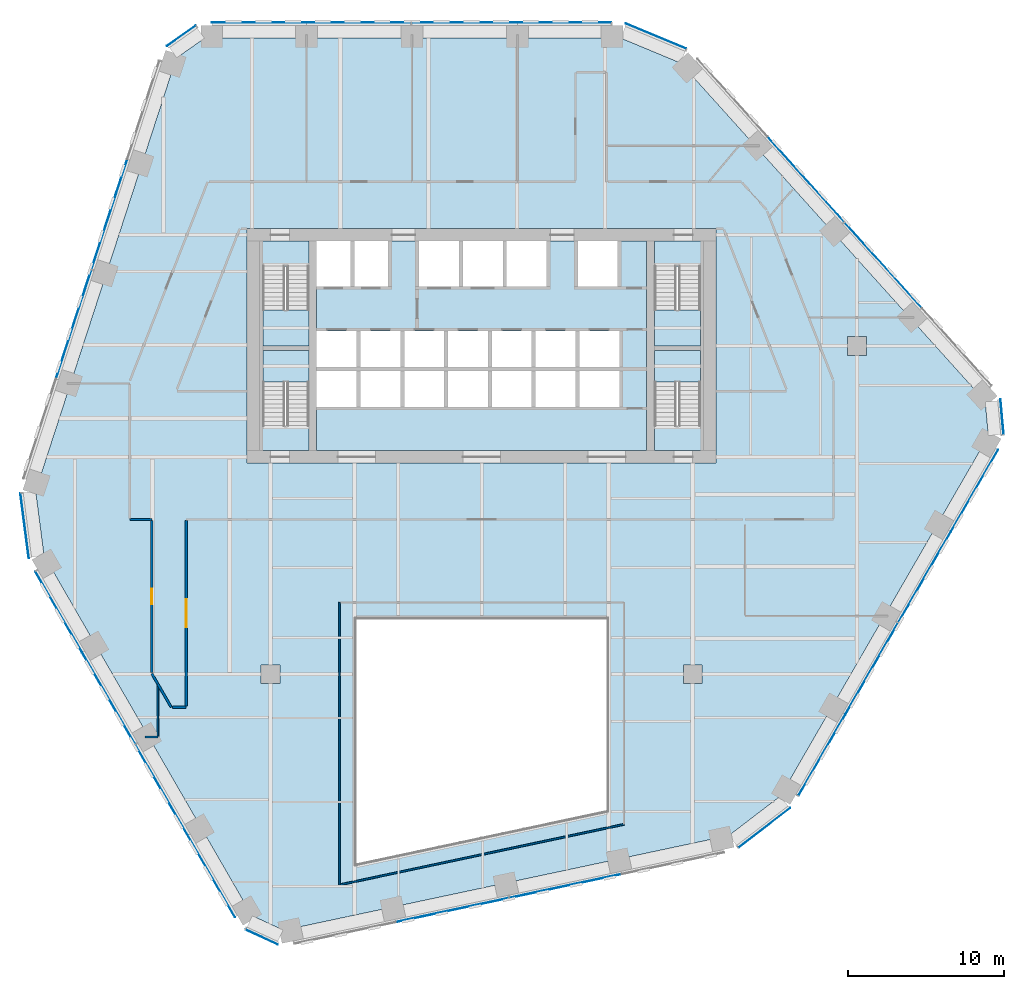
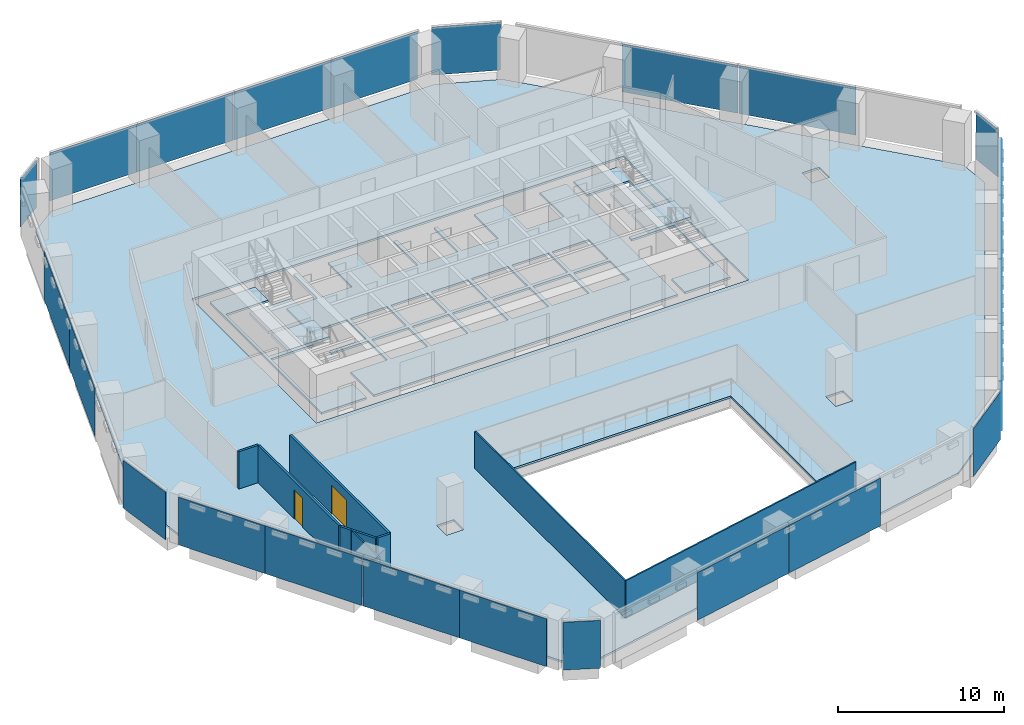
# One storey, part 10 of 17: 24 plates, 10 walls, 8 slabs, 2 doors, 2 openings, 16 elements without a shape of their own.
"""IFC4 building model written with IfcOpenShell, lengths in metres."""

import ifcopenshell
import ifcopenshell.guid

model = None  # the IFC model being written
_history = None  # IfcOwnerHistory: only IFC2X3 demands one
_inside = {}  # id of a spatial element -> (the spatial element, [elements in it])
_under = {}  # id of a project, library or spatial element -> (it, [spatial elements below it])
_declared = {}  # id of a project -> (the project, [libraries it declares])
_typed = {}  # id of a type object -> (the type object, [elements of that type])
_made_of = {}  # id of a material, layer set ... -> (it, [elements and type objects made of it])


def new_model(schema):
    """Start an empty IFC model of exactly this schema.

    Asked for "IFC4X3", IfcOpenShell would pick the latest addendum, in which some entities
    have other attributes; the version numbers below select the first issue.
    IFC2X3 requires an IfcOwnerHistory on every rooted entity: one is made here for all.
    """
    global model, _history
    if schema == "IFC4X3":
        model = ifcopenshell.file(schema_version=(4, 3, 0, 0))
    else:
        model = ifcopenshell.file(schema=schema)
    _inside.clear()
    _under.clear()
    _declared.clear()
    _typed.clear()
    _made_of.clear()
    _history = None
    if model.schema == "IFC2X3":
        org = make("IfcOrganization", Name="unknown")
        user = make(
            "IfcPersonAndOrganization",
            ThePerson=make("IfcPerson", FamilyName="unknown"),
            TheOrganization=org,
        )
        app = make(
            "IfcApplication",
            ApplicationDeveloper=org,
            Version="unknown",
            ApplicationFullName="unknown",
            ApplicationIdentifier="unknown",
        )
        _history = make(
            "IfcOwnerHistory",
            OwningUser=user,
            OwningApplication=app,
            ChangeAction="ADDED",
            CreationDate=0,
        )
    return model


def make(cls, **values):
    """One entity of the class cls with the attributes given. An attribute that is None is left unset."""
    return model.create_entity(
        cls, **{name: value for name, value in values.items() if value is not None}
    )


def rooted(cls, **values):
    """An entity with a GlobalId (a new one), such as an element, a storey or a relation."""
    return make(cls, GlobalId=ifcopenshell.guid.new(), OwnerHistory=_history, **values)


def si_unit(unit_type, name, prefix=None):
    """IfcSIUnit, for example si_unit("LENGTHUNIT", "METRE", prefix="MILLI")."""
    return make("IfcSIUnit", UnitType=unit_type, Prefix=prefix, Name=name)


def assignment(units):
    """IfcUnitAssignment: the units of a project."""
    return None if units is None else make("IfcUnitAssignment", Units=units)


def point(xyz):
    """IfcCartesianPoint."""
    return None if xyz is None else make("IfcCartesianPoint", Coordinates=xyz)


def direction(xyz):
    """IfcDirection."""
    return None if xyz is None else make("IfcDirection", DirectionRatios=xyz)


def frame(location, z_axis=None, x_axis=None):
    """IfcAxis2Placement3D, a coordinate frame: its origin and axes. An axis left out is left unset."""
    return make(
        "IfcAxis2Placement3D",
        Location=point(location),
        Axis=direction(z_axis),
        RefDirection=direction(x_axis),
    )


def frame_2d(location, x_axis=None):
    """IfcAxis2Placement2D, a coordinate frame in the plane: its origin and x axis."""
    return make(
        "IfcAxis2Placement2D", Location=point(location), RefDirection=direction(x_axis)
    )


def origin():
    """The frame at (0, 0, 0) with its axes left unset."""
    return frame((0.0, 0.0, 0.0))


def origin_2d():
    """The frame at (0, 0) in the plane with its x axis left unset."""
    return frame_2d((0.0, 0.0))


def place(relative_to, where):
    """IfcLocalPlacement: puts the frame where relative to a parent placement (None: the world)."""
    return make(
        "IfcLocalPlacement", PlacementRelTo=relative_to, RelativePlacement=where
    )


def context(
    kind, dimensions, precision=None, world=None, true_north=None, identifier=None
):
    """IfcGeometricRepresentationContext, for example the 3D "Model" context."""
    return make(
        "IfcGeometricRepresentationContext",
        ContextIdentifier=identifier,
        ContextType=kind,
        CoordinateSpaceDimension=dimensions,
        Precision=precision,
        WorldCoordinateSystem=world,
        TrueNorth=true_north,
    )


def subcontext(parent, identifier, kind, view, scale=None):
    """IfcGeometricRepresentationSubContext, for example "Body" below "Model"."""
    return make(
        "IfcGeometricRepresentationSubContext",
        ContextIdentifier=identifier,
        ContextType=kind,
        ParentContext=parent,
        TargetScale=scale,
        TargetView=view,
    )


def project(units=None, contexts=None):
    """IfcProject with its units and contexts."""
    return rooted(
        "IfcProject",
        Name="project",
        RepresentationContexts=contexts,
        UnitsInContext=assignment(units),
    )


def spatial(cls, under=None, at=None, **own):
    """A site, building, storey or space (cls), placed at a placement, below another one or the project."""
    s = rooted(cls, ObjectPlacement=at, **own)
    if under is not None:
        _under.setdefault(under.id(), (under, []))[1].append(s)
    return s


def polyline(points):
    """IfcPolyline through the points."""
    return make("IfcPolyline", Points=[point(p) for p in points])


def profile(cls, at=None, kind="AREA", **sizes):
    """A parametric profile (cls). Its sizes go by their IFC names, for example OverallWidth=200.0."""
    return make(cls, ProfileType=kind, Position=at, **sizes)


def rectangle(**sizes):
    """IfcRectangleProfileDef."""
    return profile("IfcRectangleProfileDef", **sizes)


def outline(outer, holes=None, kind="AREA"):
    """IfcArbitraryClosedProfileDef: a profile drawn as a closed curve; with holes, ...WithVoids."""
    if holes is None:
        return make("IfcArbitraryClosedProfileDef", ProfileType=kind, OuterCurve=outer)
    return make(
        "IfcArbitraryProfileDefWithVoids",
        ProfileType=kind,
        OuterCurve=outer,
        InnerCurves=holes,
    )


def extrude(swept, where, along, depth):
    """IfcExtrudedAreaSolid: the profile swept, set in the frame where, extruded along a direction by depth."""
    return make(
        "IfcExtrudedAreaSolid",
        SweptArea=swept,
        Position=where,
        ExtrudedDirection=direction(along),
        Depth=depth,
    )


def shape(context_of_items, identifier, shape_type, items):
    """IfcShapeRepresentation: the items that make up one representation, for example the "Body"."""
    return make(
        "IfcShapeRepresentation",
        ContextOfItems=context_of_items,
        RepresentationIdentifier=identifier,
        RepresentationType=shape_type,
        Items=items,
    )


def material(Name=None, Category=None):
    """IfcMaterial."""
    return make("IfcMaterial", Name=Name, Category=Category)


def layer(
    of_material, thickness, ventilated=None, Name=None, Category=None, Priority=None
):
    """IfcMaterialLayer: one layer of a wall or slab, of a material (None: an air gap)."""
    return make(
        "IfcMaterialLayer",
        Material=of_material,
        LayerThickness=thickness,
        IsVentilated=ventilated,
        Name=Name,
        Category=Category,
        Priority=Priority,
    )


def layer_set(layers, Name=None):
    """IfcMaterialLayerSet."""
    return make("IfcMaterialLayerSet", MaterialLayers=layers, LayerSetName=Name)


def made_of(thing, what):
    """Note that an element or type object is made of a material, layer set ...; save() writes the relation."""
    if what is not None:
        _made_of.setdefault(what.id(), (what, []))[1].append(thing)
    return thing


def type_object(cls, material=None, **own):
    """A type object (cls), such as IfcWallType, which elements share."""
    return made_of(rooted(cls, **own), material)


def element(
    cls,
    number,
    at=None,
    inside=None,
    cuts=None,
    type_object=None,
    material=None,
    context=None,
    identifier="Body",
    shape_type=None,
    held_by="IfcProductDefinitionShape",
    body=None,
    shapes=None,
    **own,
):
    """One element of the class cls, such as IfcWall. Its Tag is "e" and its number.

    at: its placement. inside: the storey or other place that contains it. cuts: it is an
    opening in that element (IfcRelVoidsElement). A single representation is given by context,
    identifier, shape_type and body (its items); several are given by shapes. held_by: the class
    of the entity that holds the representations. save() writes the other relations.
    """
    e = rooted(cls, Tag="e%d" % number, ObjectPlacement=at, **own)
    if body is not None:
        shapes = [shape(context, identifier, shape_type, body)]
    if shapes is not None:
        e.Representation = make(held_by, Representations=shapes)
    if inside is not None:
        _inside.setdefault(inside.id(), (inside, []))[1].append(e)
    if cuts is not None:
        rooted(
            "IfcRelVoidsElement", RelatingBuildingElement=cuts, RelatedOpeningElement=e
        )
    if type_object is not None:
        _typed.setdefault(type_object.id(), (type_object, []))[1].append(e)
    return made_of(e, material)


def fill(opening, filler):
    """IfcRelFillsElement: the door or window that sits in an opening."""
    return rooted(
        "IfcRelFillsElement",
        RelatingOpeningElement=opening,
        RelatedBuildingElement=filler,
    )


def aggregate(whole, parts):
    """IfcRelAggregates: a whole, such as a stair, and the parts it consists of."""
    return rooted("IfcRelAggregates", RelatingObject=whole, RelatedObjects=parts)


def save(model, path):
    """Write the relations noted so far, then the file.

    IfcRelAggregates (storeys below a building ...), IfcRelContainedInSpatialStructure (elements
    in a storey), IfcRelDefinesByType, IfcRelAssociatesMaterial and IfcRelDeclares: one each for
    every whole, place, type object, material and project.
    """
    for whole, parts in _under.values():
        aggregate(whole, parts)
    for where, things in _inside.values():
        rooted(
            "IfcRelContainedInSpatialStructure",
            RelatedElements=things,
            RelatingStructure=where,
        )
    for kind, things in _typed.values():
        rooted("IfcRelDefinesByType", RelatedObjects=things, RelatingType=kind)
    for what, things in _made_of.values():
        rooted("IfcRelAssociatesMaterial", RelatedObjects=things, RelatingMaterial=what)
    for by, libraries in _declared.values():
        rooted("IfcRelDeclares", RelatingContext=by, RelatedDefinitions=libraries)
    model.write(path)


model = new_model("IFC4")

# Units and contexts
model_context = context("Model", 3, precision=1e-05, world=origin(), true_north=direction((0.0, 1.0)))
body_context = subcontext(model_context, "Body", "Model", "MODEL_VIEW")
ifc_project = project(units=[si_unit("LENGTHUNIT", "METRE"), si_unit("AREAUNIT", "SQUARE_METRE"), si_unit("VOLUMEUNIT", "CUBIC_METRE"), si_unit("PLANEANGLEUNIT", "RADIAN"), si_unit("MASSUNIT", "GRAM", prefix="KILO")], contexts=[model_context])

# Site, building, storey
site_placement = place(None, origin())
site = spatial("IfcSite", under=ifc_project, at=site_placement, CompositionType="ELEMENT")
building_placement = place(site_placement, origin())
building = spatial("IfcBuilding", under=site, at=building_placement, Name="Isthmus Gate Tower", CompositionType="ELEMENT")
storey_placement = place(building_placement, frame((0.0, 0.0, 126.14990234375)))
storey = spatial("IfcBuildingStorey", under=building, at=storey_placement, Name="L30", CompositionType="ELEMENT", Elevation=126.14990234375)

# Slabs
ifc_material_1 = material(Name="Concrete f'c 40 MPa", Category="concrete")
ifc_layer_1 = layer(ifc_material_1, 0.14990234375)
ifc_layer_set_1 = layer_set([ifc_layer_1], Name="COMPOSITE FLOOR SLAB 150")
slab_type_1 = type_object("IfcSlabType", Name="COMPOSITE FLOOR SLAB 150", PredefinedType="FLOOR", material=ifc_layer_set_1)
slab_1_placement = place(storey_placement, frame((0.0, 0.0, -0.14990234375)))
element("IfcSlab", 1, at=slab_1_placement, inside=storey, type_object=slab_type_1, Name="str-slab-L30-1", PredefinedType="FLOOR", context=body_context, shape_type="SweptSolid", body=[
    extrude(outline(polyline([(12.72802734375, 25.599365234375), (32.21044921875, 3.9619140625), (32.410400390625, 1.736083984375), (19.116455078125, -21.289306640625), (15.8056640625, -23.822509765625), (-12.674072265625, -29.876220703125), (-14.701416015625, -28.936279296875), (-27.995361328125, -5.91064453125), (-28.53369140625, -1.77685546875), (-19.536376953125, 25.9140625), (-17.708740234375, 27.199951171875), (8.87890625, 27.199951171875), (12.72802734375, 25.599365234375)]), holes=[polyline([(-8.0, -10.0), (-8.0, -25.611083984375), (8.0, -22.210205078125), (8.0, -10.0), (-8.0, -10.0)]), polyline([(-14.10009765625, -12.89990234375), (-14.10009765625, -14.10009765625), (-12.89990234375, -14.10009765625), (-12.89990234375, -12.89990234375), (-14.10009765625, -12.89990234375)]), polyline([(14.10009765625, -12.89990234375), (12.89990234375, -12.89990234375), (12.89990234375, -14.10009765625), (14.10009765625, -14.10009765625), (14.10009765625, -12.89990234375)]), polyline([(-15.0, 15.0), (-15.0, 0.0), (15.0, 0.0), (15.0, 15.0), (-15.0, 15.0)]), polyline([(24.60009765625, 6.89990234375), (24.60009765625, 8.10009765625), (23.39990234375, 8.10009765625), (23.39990234375, 6.89990234375), (24.60009765625, 6.89990234375)])]), origin(), (0.0, 0.0, 1.0), 0.14990234375),
])
ifc_material_2 = material(Name="Concrete f'c 40 MPa", Category="concrete")
ifc_layer_2 = layer(ifc_material_2, 0.14990234375)
ifc_layer_set_2 = layer_set([ifc_layer_2], Name="CORE FLOOR SLAB 150")
slab_type_2 = type_object("IfcSlabType", Name="CORE FLOOR SLAB 150", PredefinedType="FLOOR", material=ifc_layer_set_2)
slab_2_placement = place(storey_placement, frame((0.0, 0.0, -0.14990234375)))
element("IfcSlab", 2, at=slab_2_placement, inside=storey, type_object=slab_type_2, Name="L30 core floor", PredefinedType="FLOOR", context=body_context, shape_type="SweptSolid", body=[
    extrude(outline(polyline([(-11.050048828125, 0.800048828125), (-11.050048828125, 2.402099609375), (-14.0, 2.402099609375), (-14.0, 7.199951171875), (-11.050048828125, 7.199951171875), (-11.050048828125, 7.5), (-14.0, 7.5), (-14.0, 12.597900390625), (-11.050048828125, 12.597900390625), (-11.050048828125, 14.199951171875), (-14.199951171875, 14.199951171875), (-14.199951171875, 0.800048828125), (-11.050048828125, 0.800048828125)])), origin(), (0.0, 0.0, 1.0), 0.14990234375),
])
slab_3_placement = place(storey_placement, frame((0.0, 0.0, -0.14990234375)))
element("IfcSlab", 3, at=slab_3_placement, inside=storey, type_object=slab_type_2, Name="L30 core floor", PredefinedType="FLOOR", context=body_context, shape_type="SweptSolid", body=[
    extrude(outline(polyline([(10.550048828125, 14.199951171875), (8.699951171875, 14.199951171875), (8.699951171875, 11.300048828125), (6.14990234375, 11.300048828125), (6.14990234375, 14.199951171875), (4.14990234375, 14.199951171875), (4.14990234375, 11.300048828125), (1.60009765625, 11.300048828125), (1.60009765625, 14.199951171875), (1.35009765625, 14.199951171875), (1.35009765625, 11.300048828125), (-1.199951171875, 11.300048828125), (-1.199951171875, 14.199951171875), (-1.449951171875, 14.199951171875), (-1.449951171875, 11.300048828125), (-4.0, 11.300048828125), (-4.0, 14.199951171875), (-6.0, 14.199951171875), (-6.0, 11.300048828125), (-8.14990234375, 11.300048828125), (-8.14990234375, 14.199951171875), (-8.39990234375, 14.199951171875), (-8.39990234375, 11.300048828125), (-10.550048828125, 11.300048828125), (-10.550048828125, 8.449951171875), (-8.0, 8.449951171875), (-8.0, 6.14990234375), (-10.550048828125, 6.14990234375), (-10.550048828125, 5.89990234375), (-8.0, 5.89990234375), (-8.0, 3.60009765625), (-10.550048828125, 3.60009765625), (-10.550048828125, 0.800048828125), (10.550048828125, 0.800048828125), (10.550048828125, 14.199951171875)]), holes=[polyline([(-5.199951171875, 3.60009765625), (-7.75, 3.60009765625), (-7.75, 5.89990234375), (-5.199951171875, 5.89990234375), (-5.199951171875, 3.60009765625)]), polyline([(-2.39990234375, 3.60009765625), (-4.949951171875, 3.60009765625), (-4.949951171875, 5.89990234375), (-2.39990234375, 5.89990234375), (-2.39990234375, 3.60009765625)]), polyline([(-5.199951171875, 6.14990234375), (-7.75, 6.14990234375), (-7.75, 8.449951171875), (-5.199951171875, 8.449951171875), (-5.199951171875, 6.14990234375)]), polyline([(-2.39990234375, 8.449951171875), (-2.39990234375, 6.14990234375), (-4.949951171875, 6.14990234375), (-4.949951171875, 8.449951171875), (-2.39990234375, 8.449951171875)]), polyline([(0.39990234375, 6.14990234375), (-2.14990234375, 6.14990234375), (-2.14990234375, 8.449951171875), (0.39990234375, 8.449951171875), (0.39990234375, 6.14990234375)]), polyline([(0.39990234375, 5.89990234375), (0.39990234375, 3.60009765625), (-2.14990234375, 3.60009765625), (-2.14990234375, 5.89990234375), (0.39990234375, 5.89990234375)]), polyline([(3.199951171875, 3.60009765625), (0.64990234375, 3.60009765625), (0.64990234375, 5.89990234375), (3.199951171875, 5.89990234375), (3.199951171875, 3.60009765625)]), polyline([(6.0, 3.60009765625), (3.449951171875, 3.60009765625), (3.449951171875, 5.89990234375), (6.0, 5.89990234375), (6.0, 3.60009765625)]), polyline([(8.800048828125, 5.89990234375), (8.800048828125, 3.60009765625), (6.25, 3.60009765625), (6.25, 5.89990234375), (8.800048828125, 5.89990234375)]), polyline([(3.199951171875, 6.14990234375), (0.64990234375, 6.14990234375), (0.64990234375, 8.449951171875), (3.199951171875, 8.449951171875), (3.199951171875, 6.14990234375)]), polyline([(6.0, 8.449951171875), (6.0, 6.14990234375), (3.449951171875, 6.14990234375), (3.449951171875, 8.449951171875), (6.0, 8.449951171875)]), polyline([(8.800048828125, 6.14990234375), (6.25, 6.14990234375), (6.25, 8.449951171875), (8.800048828125, 8.449951171875), (8.800048828125, 6.14990234375)])]), origin(), (0.0, 0.0, 1.0), 0.14990234375),
])
slab_4_placement = place(storey_placement, frame((0.0, 0.0, -0.14990234375)))
element("IfcSlab", 4, at=slab_4_placement, inside=storey, type_object=slab_type_2, Name="L30 core floor", PredefinedType="FLOOR", context=body_context, shape_type="SweptSolid", body=[
    extrude(outline(polyline([(11.050048828125, 14.199951171875), (11.050048828125, 12.597900390625), (14.0, 12.597900390625), (14.0, 7.5), (11.050048828125, 7.5), (11.050048828125, 7.199951171875), (14.0, 7.199951171875), (14.0, 2.402099609375), (11.050048828125, 2.402099609375), (11.050048828125, 0.800048828125), (14.199951171875, 0.800048828125), (14.199951171875, 14.199951171875), (11.050048828125, 14.199951171875)])), origin(), (0.0, 0.0, 1.0), 0.14990234375),
])

# Curtain wall, plates
ifc_material_3 = material(Name="Aluminium, pale champagne anodised", Category="aluminium")
ifc_layer_3 = layer(ifc_material_3, 0.199951171875)
ifc_layer_set_3 = layer_set([ifc_layer_3], Name="CW-1 UNITISED CURTAIN WALL 200 DEEP")
curtain_wall_type = type_object("IfcCurtainWallType", Name="CW-1 UNITISED CURTAIN WALL 200 DEEP", PredefinedType="NOTDEFINED", material=ifc_layer_set_3)
curtain_wall_1_placement = place(storey_placement, origin())
curtain_wall_1 = element("IfcCurtainWall", 5, at=curtain_wall_1_placement, inside=storey, type_object=curtain_wall_type, Name="CW-1 N L30", PredefinedType="NOTDEFINED")
ifc_material_4 = material(Name="Laminated low-iron glass, pale blue tint", Category="glass")
ifc_layer_4 = layer(ifc_material_4, 0.035888671875)
ifc_layer_set_4 = layer_set([ifc_layer_4], Name="CW-1 CLEAR GLASS LITE 36")
plate_type = type_object("IfcPlateType", Name="CW-1 CLEAR GLASS LITE 36", PredefinedType="CURTAIN_PANEL", material=ifc_layer_set_4)
plate_1_placement = place(storey_placement, frame((5.283447265625, 28.181884765625, 0.0), z_axis=(0.0, 0.0, 1.0), x_axis=(-1.0, 0.0, 0.0)))
plate_1 = element("IfcPlate", 6, at=plate_1_placement, type_object=plate_type, Name="CW-1 glass lite", PredefinedType="CURTAIN_PANEL", context=body_context, shape_type="SweptSolid", body=[
    extrude(rectangle(XDim=5.990234375, YDim=0.035888671875, at=origin_2d()), origin(), (0.0, 0.0, 1.0), 3.510009765625),
])
plate_2_placement = place(storey_placement, frame((-1.086669921875, 28.181884765625, 0.0), z_axis=(0.0, 0.0, 1.0), x_axis=(-1.0, 0.0, 0.0)))
plate_2 = element("IfcPlate", 7, at=plate_2_placement, type_object=plate_type, Name="CW-1 glass lite", PredefinedType="CURTAIN_PANEL", context=body_context, shape_type="SweptSolid", body=[
    extrude(rectangle(XDim=6.750244140625, YDim=0.035888671875, at=origin_2d()), origin(), (0.0, 0.0, 1.0), 3.510009765625),
])
plate_3_placement = place(storey_placement, frame((-7.86669921875, 28.181884765625, 0.0), z_axis=(0.0, 0.0, 1.0), x_axis=(-1.0, 0.0, 0.0)))
plate_3 = element("IfcPlate", 8, at=plate_3_placement, type_object=plate_type, Name="CW-1 glass lite", PredefinedType="CURTAIN_PANEL", context=body_context, shape_type="SweptSolid", body=[
    extrude(rectangle(XDim=6.690185546875, YDim=0.035888671875, at=origin_2d()), origin(), (0.0, 0.0, 1.0), 3.510009765625),
])
plate_4_placement = place(storey_placement, frame((-14.23681640625, 28.181884765625, 0.0), z_axis=(0.0, 0.0, 1.0), x_axis=(-1.0, 0.0, 0.0)))
plate_4 = element("IfcPlate", 9, at=plate_4_placement, type_object=plate_type, Name="CW-1 glass lite", PredefinedType="CURTAIN_PANEL", context=body_context, shape_type="SweptSolid", body=[
    extrude(rectangle(XDim=6.050048828125, YDim=0.035888671875, at=origin_2d()), origin(), (0.0, 0.0, 1.0), 3.510009765625),
])
aggregate(curtain_wall_1, [plate_1, plate_2, plate_3, plate_4])

# Curtain wall, plate
curtain_wall_2_placement = place(storey_placement, origin())
curtain_wall_2 = element("IfcCurtainWall", 10, at=curtain_wall_2_placement, inside=storey, type_object=curtain_wall_type, Name="CW-1 N-NW L30", PredefinedType="NOTDEFINED")
plate_5_placement = place(storey_placement, frame((-19.2119140625, 27.343017578125, 0.0), z_axis=(0.0, 0.0, 1.0), x_axis=(-0.81785959165, -0.57541783805, 0.0)))
plate_5 = element("IfcPlate", 11, at=plate_5_placement, type_object=plate_type, Name="CW-1 glass lite", PredefinedType="CURTAIN_PANEL", context=body_context, shape_type="SweptSolid", body=[
    extrude(rectangle(XDim=2.258544921875, YDim=0.035888671875, at=origin_2d()), origin(), (0.0, 0.0, 1.0), 3.510009765625),
])
aggregate(curtain_wall_2, [plate_5])

# Curtain wall, plates
curtain_wall_3_placement = place(storey_placement, origin())
curtain_wall_3 = element("IfcCurtainWall", 12, at=curtain_wall_3_placement, inside=storey, type_object=curtain_wall_type, Name="CW-1 NW L30", PredefinedType="NOTDEFINED")
plate_6_placement = place(storey_placement, frame((-23.813720703125, 15.927490234375, 0.0), z_axis=(0.0, 0.0, 1.0), x_axis=(-0.309016994375, -0.951056516295, 0.0)))
plate_6 = element("IfcPlate", 13, at=plate_6_placement, type_object=plate_type, Name="CW-1 glass lite", PredefinedType="CURTAIN_PANEL", context=body_context, shape_type="SweptSolid", body=[
    extrude(rectangle(XDim=7.390869140625, YDim=0.035888671875, at=origin_2d()), origin(), (0.0, 0.0, 1.0), 3.510009765625),
])
plate_7_placement = place(storey_placement, frame((-26.10693359375, 8.8701171875, 0.0), z_axis=(0.0, 0.0, 1.0), x_axis=(-0.309016994375, -0.951056516295, 0.0)))
plate_7 = element("IfcPlate", 14, at=plate_7_placement, type_object=plate_type, Name="CW-1 glass lite", PredefinedType="CURTAIN_PANEL", context=body_context, shape_type="SweptSolid", body=[
    extrude(rectangle(XDim=7.330810546875, YDim=0.035888671875, at=origin_2d()), origin(), (0.0, 0.0, 1.0), 3.510009765625),
])
aggregate(curtain_wall_3, [plate_6, plate_7])

# Curtain wall, plate
curtain_wall_4_placement = place(storey_placement, origin())
curtain_wall_4 = element("IfcCurtainWall", 15, at=curtain_wall_4_placement, inside=storey, type_object=curtain_wall_type, Name="CW-1 NW-SW L30", PredefinedType="NOTDEFINED")
plate_8_placement = place(storey_placement, frame((-29.234619140625, -3.9990234375, 0.0), z_axis=(0.0, 0.0, 1.0), x_axis=(0.129164534, -0.991623175988, 0.0)))
plate_8 = element("IfcPlate", 16, at=plate_8_placement, type_object=plate_type, Name="CW-1 glass lite", PredefinedType="CURTAIN_PANEL", context=body_context, shape_type="SweptSolid", body=[
    extrude(rectangle(XDim=4.181396484375, YDim=0.035888671875, at=origin_2d()), origin(), (0.0, 0.0, 1.0), 3.510009765625),
])
aggregate(curtain_wall_4, [plate_8])

# Curtain wall, plates
curtain_wall_5_placement = place(storey_placement, origin())
curtain_wall_5 = element("IfcCurtainWall", 17, at=curtain_wall_5_placement, inside=storey, type_object=curtain_wall_type, Name="CW-1 SW L30", PredefinedType="NOTDEFINED")
plate_9_placement = place(storey_placement, frame((-27.048095703125, -9.515380859375, 0.0), z_axis=(0.0, 0.0, 1.0), x_axis=(0.5, -0.866025403784, 0.0)))
plate_9 = element("IfcPlate", 18, at=plate_9_placement, type_object=plate_type, Name="CW-1 glass lite", PredefinedType="CURTAIN_PANEL", context=body_context, shape_type="SweptSolid", body=[
    extrude(rectangle(XDim=5.990234375, YDim=0.035888671875, at=origin_2d()), origin(), (0.0, 0.0, 1.0), 3.510009765625),
])
plate_10_placement = place(storey_placement, frame((-23.863037109375, -15.031982421875, 0.0), z_axis=(0.0, 0.0, 1.0), x_axis=(0.5, -0.866025403784, 0.0)))
plate_10 = element("IfcPlate", 19, at=plate_10_placement, type_object=plate_type, Name="CW-1 glass lite", PredefinedType="CURTAIN_PANEL", context=body_context, shape_type="SweptSolid", body=[
    extrude(rectangle(XDim=6.750244140625, YDim=0.035888671875, at=origin_2d()), origin(), (0.0, 0.0, 1.0), 3.510009765625),
])
plate_11_placement = place(storey_placement, frame((-20.472900390625, -20.90380859375, 0.0), z_axis=(0.0, 0.0, 1.0), x_axis=(0.5, -0.866025403784, 0.0)))
plate_11 = element("IfcPlate", 20, at=plate_11_placement, type_object=plate_type, Name="CW-1 glass lite", PredefinedType="CURTAIN_PANEL", context=body_context, shape_type="SweptSolid", body=[
    extrude(rectangle(XDim=6.690185546875, YDim=0.035888671875, at=origin_2d()), origin(), (0.0, 0.0, 1.0), 3.510009765625),
])
plate_12_placement = place(storey_placement, frame((-17.287841796875, -26.42041015625, 0.0), z_axis=(0.0, 0.0, 1.0), x_axis=(0.5, -0.866025403784, 0.0)))
plate_12 = element("IfcPlate", 21, at=plate_12_placement, type_object=plate_type, Name="CW-1 glass lite", PredefinedType="CURTAIN_PANEL", context=body_context, shape_type="SweptSolid", body=[
    extrude(rectangle(XDim=6.050048828125, YDim=0.035888671875, at=origin_2d()), origin(), (0.0, 0.0, 1.0), 3.510009765625),
])
aggregate(curtain_wall_5, [plate_9, plate_10, plate_11, plate_12])

# Curtain wall, plate
curtain_wall_6_placement = place(storey_placement, origin())
curtain_wall_6 = element("IfcCurtainWall", 22, at=curtain_wall_6_placement, inside=storey, type_object=curtain_wall_type, Name="CW-1 SW-S L30", PredefinedType="NOTDEFINED")
plate_13_placement = place(storey_placement, frame((-14.07373046875, -30.3095703125, 0.0), z_axis=(0.0, 0.0, 1.0), x_axis=(0.907256261367, -0.420578264073, 0.0)))
plate_13 = element("IfcPlate", 23, at=plate_13_placement, type_object=plate_type, Name="CW-1 glass lite", PredefinedType="CURTAIN_PANEL", context=body_context, shape_type="SweptSolid", body=[
    extrude(rectangle(XDim=2.258544921875, YDim=0.035888671875, at=origin_2d()), origin(), (0.0, 0.0, 1.0), 3.510009765625),
])
aggregate(curtain_wall_6, [plate_13])

# Curtain wall, plates
curtain_wall_7_placement = place(storey_placement, origin())
curtain_wall_7 = element("IfcCurtainWall", 24, at=curtain_wall_7_placement, inside=storey, type_object=curtain_wall_type, Name="CW-1 S L30", PredefinedType="NOTDEFINED")
plate_14_placement = place(storey_placement, frame((-1.88671875, -28.587158203125, 0.0), z_axis=(0.0, 0.0, 1.0), x_axis=(0.978147600734, 0.207911690818, 0.0)))
plate_14 = element("IfcPlate", 25, at=plate_14_placement, type_object=plate_type, Name="CW-1 glass lite", PredefinedType="CURTAIN_PANEL", context=body_context, shape_type="SweptSolid", body=[
    extrude(rectangle(XDim=7.390869140625, YDim=0.035888671875, at=origin_2d()), origin(), (0.0, 0.0, 1.0), 3.510009765625),
])
plate_15_placement = place(storey_placement, frame((5.371826171875, -27.044189453125, 0.0), z_axis=(0.0, 0.0, 1.0), x_axis=(0.978147600734, 0.207911690818, 0.0)))
plate_15 = element("IfcPlate", 26, at=plate_15_placement, type_object=plate_type, Name="CW-1 glass lite", PredefinedType="CURTAIN_PANEL", context=body_context, shape_type="SweptSolid", body=[
    extrude(rectangle(XDim=7.330810546875, YDim=0.035888671875, at=origin_2d()), origin(), (0.0, 0.0, 1.0), 3.510009765625),
])
aggregate(curtain_wall_7, [plate_14, plate_15])

# Curtain wall, plate
curtain_wall_8_placement = place(storey_placement, origin())
curtain_wall_8 = element("IfcCurtainWall", 27, at=curtain_wall_8_placement, inside=storey, type_object=curtain_wall_type, Name="CW-1 S-SE L30", PredefinedType="NOTDEFINED")
plate_16_placement = place(storey_placement, frame((18.08056640625, -23.318359375, 0.0), z_axis=(0.0, 0.0, 1.0), x_axis=(0.794188594387, 0.607671355706, 0.0)))
plate_16 = element("IfcPlate", 28, at=plate_16_placement, type_object=plate_type, Name="CW-1 glass lite", PredefinedType="CURTAIN_PANEL", context=body_context, shape_type="SweptSolid", body=[
    extrude(rectangle(XDim=4.181396484375, YDim=0.035888671875, at=origin_2d()), origin(), (0.0, 0.0, 1.0), 3.510009765625),
])
aggregate(curtain_wall_8, [plate_16])

# Curtain wall, plates
curtain_wall_9_placement = place(storey_placement, origin())
curtain_wall_9 = element("IfcCurtainWall", 29, at=curtain_wall_9_placement, inside=storey, type_object=curtain_wall_type, Name="CW-1 SE L30", PredefinedType="NOTDEFINED")
plate_17_placement = place(storey_placement, frame((21.7646484375, -18.666748046875, 0.0), z_axis=(0.0, 0.0, 1.0), x_axis=(0.5, 0.866025403784, 0.0)))
plate_17 = element("IfcPlate", 30, at=plate_17_placement, type_object=plate_type, Name="CW-1 glass lite", PredefinedType="CURTAIN_PANEL", context=body_context, shape_type="SweptSolid", body=[
    extrude(rectangle(XDim=5.990234375, YDim=0.035888671875, at=origin_2d()), origin(), (0.0, 0.0, 1.0), 3.510009765625),
])
plate_18_placement = place(storey_placement, frame((24.94970703125, -13.14990234375, 0.0), z_axis=(0.0, 0.0, 1.0), x_axis=(0.5, 0.866025403784, 0.0)))
plate_18 = element("IfcPlate", 31, at=plate_18_placement, type_object=plate_type, Name="CW-1 glass lite", PredefinedType="CURTAIN_PANEL", context=body_context, shape_type="SweptSolid", body=[
    extrude(rectangle(XDim=6.750244140625, YDim=0.035888671875, at=origin_2d()), origin(), (0.0, 0.0, 1.0), 3.510009765625),
])
plate_19_placement = place(storey_placement, frame((28.339599609375, -7.278076171875, 0.0), z_axis=(0.0, 0.0, 1.0), x_axis=(0.5, 0.866025403784, 0.0)))
plate_19 = element("IfcPlate", 32, at=plate_19_placement, type_object=plate_type, Name="CW-1 glass lite", PredefinedType="CURTAIN_PANEL", context=body_context, shape_type="SweptSolid", body=[
    extrude(rectangle(XDim=6.690185546875, YDim=0.035888671875, at=origin_2d()), origin(), (0.0, 0.0, 1.0), 3.510009765625),
])
plate_20_placement = place(storey_placement, frame((31.524658203125, -1.761474609375, 0.0), z_axis=(0.0, 0.0, 1.0), x_axis=(0.5, 0.866025403784, 0.0)))
plate_20 = element("IfcPlate", 33, at=plate_20_placement, type_object=plate_type, Name="CW-1 glass lite", PredefinedType="CURTAIN_PANEL", context=body_context, shape_type="SweptSolid", body=[
    extrude(rectangle(XDim=6.050048828125, YDim=0.035888671875, at=origin_2d()), origin(), (0.0, 0.0, 1.0), 3.510009765625),
])
aggregate(curtain_wall_9, [plate_17, plate_18, plate_19, plate_20])

# Curtain wall, plate
curtain_wall_10_placement = place(storey_placement, origin())
curtain_wall_10 = element("IfcCurtainWall", 34, at=curtain_wall_10_placement, inside=storey, type_object=curtain_wall_type, Name="CW-1 SE-NE L30", PredefinedType="NOTDEFINED")
plate_21_placement = place(storey_placement, frame((33.285888671875, 2.966552734375, 0.0), z_axis=(0.0, 0.0, 1.0), x_axis=(-0.089396669717, 0.995996102123, 0.0)))
plate_21 = element("IfcPlate", 35, at=plate_21_placement, type_object=plate_type, Name="CW-1 glass lite", PredefinedType="CURTAIN_PANEL", context=body_context, shape_type="SweptSolid", body=[
    extrude(rectangle(XDim=2.258544921875, YDim=0.035888671875, at=origin_2d()), origin(), (0.0, 0.0, 1.0), 3.510009765625),
])
aggregate(curtain_wall_10, [plate_21])

# Curtain wall, plates
curtain_wall_11_placement = place(storey_placement, origin())
curtain_wall_11 = element("IfcCurtainWall", 36, at=curtain_wall_11_placement, inside=storey, type_object=curtain_wall_type, Name="CW-1 NE L30", PredefinedType="NOTDEFINED")
plate_22_placement = place(storey_placement, frame((25.70068359375, 12.659423828125, 0.0), z_axis=(0.0, 0.0, 1.0), x_axis=(-0.669130606359, 0.743144825477, 0.0)))
plate_22 = element("IfcPlate", 37, at=plate_22_placement, type_object=plate_type, Name="CW-1 glass lite", PredefinedType="CURTAIN_PANEL", context=body_context, shape_type="SweptSolid", body=[
    extrude(rectangle(XDim=7.390869140625, YDim=0.035888671875, at=origin_2d()), origin(), (0.0, 0.0, 1.0), 3.510009765625),
])
plate_23_placement = place(storey_placement, frame((20.735107421875, 18.17431640625, 0.0), z_axis=(0.0, 0.0, 1.0), x_axis=(-0.669130606359, 0.743144825477, 0.0)))
plate_23 = element("IfcPlate", 38, at=plate_23_placement, type_object=plate_type, Name="CW-1 glass lite", PredefinedType="CURTAIN_PANEL", context=body_context, shape_type="SweptSolid", body=[
    extrude(rectangle(XDim=7.330810546875, YDim=0.035888671875, at=origin_2d()), origin(), (0.0, 0.0, 1.0), 3.510009765625),
])
aggregate(curtain_wall_11, [plate_22, plate_23])

# Curtain wall, plate
curtain_wall_12_placement = place(storey_placement, origin())
curtain_wall_12 = element("IfcCurtainWall", 39, at=curtain_wall_12_placement, inside=storey, type_object=curtain_wall_type, Name="CW-1 NE-N L30", PredefinedType="NOTDEFINED")
plate_24_placement = place(storey_placement, frame((11.154052734375, 27.3173828125, 0.0), z_axis=(0.0, 0.0, 1.0), x_axis=(-0.923353128387, 0.383951820282, 0.0)))
plate_24 = element("IfcPlate", 40, at=plate_24_placement, type_object=plate_type, Name="CW-1 glass lite", PredefinedType="CURTAIN_PANEL", context=body_context, shape_type="SweptSolid", body=[
    extrude(rectangle(XDim=4.181396484375, YDim=0.035888671875, at=origin_2d()), origin(), (0.0, 0.0, 1.0), 3.510009765625),
])
aggregate(curtain_wall_12, [plate_24])

# Stair, slab
ifc_material_5 = material(Name="Concrete f'c 40 MPa", Category="concrete")
stair_type = type_object("IfcStairType", Name="CORE STAIR 22 RISERS", PredefinedType="HALF_TURN_STAIR", material=ifc_material_5)
stair_1_placement = place(storey_placement, origin())
stair_1 = element("IfcStair", 41, at=stair_1_placement, inside=storey, type_object=stair_type, Name="L30 Exit Stair 1", PredefinedType="HALF_TURN_STAIR")
ifc_material_6 = material(Name="Concrete f'c 40 MPa", Category="concrete")
ifc_layer_5 = layer(ifc_material_6, 0.199951171875)
ifc_layer_set_5 = layer_set([ifc_layer_5])
slab_type_3 = type_object("IfcSlabType", Name="STAIR LANDING RC 200", PredefinedType="LANDING", material=ifc_layer_set_5)
slab_5_placement = place(storey_placement, frame((0.0, 0.0, 1.625)))
slab_5 = element("IfcSlab", 42, at=slab_5_placement, type_object=slab_type_3, Name="ST1 landing 1", PredefinedType="LANDING", context=body_context, shape_type="SweptSolid", body=[
    extrude(outline(polyline([(-14.0, 9.800048828125), (-14.0, 7.5), (-11.050048828125, 7.5), (-11.050048828125, 9.800048828125), (-14.0, 9.800048828125)])), origin(), (0.0, 0.0, 1.0), 0.2001953125),
])
aggregate(stair_1, [slab_5])

stair_2_placement = place(storey_placement, origin())
stair_2 = element("IfcStair", 43, at=stair_2_placement, inside=storey, type_object=stair_type, Name="L30 Exit Stair 2", PredefinedType="HALF_TURN_STAIR")
slab_6_placement = place(storey_placement, frame((0.0, 0.0, 1.625)))
slab_6 = element("IfcSlab", 44, at=slab_6_placement, type_object=slab_type_3, Name="ST2 landing 1", PredefinedType="LANDING", context=body_context, shape_type="SweptSolid", body=[
    extrude(outline(polyline([(11.050048828125, 9.800048828125), (11.050048828125, 7.5), (14.0, 7.5), (14.0, 9.800048828125), (11.050048828125, 9.800048828125)])), origin(), (0.0, 0.0, 1.0), 0.2001953125),
])
aggregate(stair_2, [slab_6])

stair_3_placement = place(storey_placement, origin())
stair_3 = element("IfcStair", 45, at=stair_3_placement, inside=storey, type_object=stair_type, Name="L30 Exit Stair 7", PredefinedType="HALF_TURN_STAIR")
slab_7_placement = place(storey_placement, frame((0.0, 0.0, 1.625)))
slab_7 = element("IfcSlab", 46, at=slab_7_placement, type_object=slab_type_3, Name="ST7 landing 1", PredefinedType="LANDING", context=body_context, shape_type="SweptSolid", body=[
    extrude(outline(polyline([(-11.050048828125, 5.199951171875), (-11.050048828125, 7.199951171875), (-14.0, 7.199951171875), (-14.0, 5.199951171875), (-11.050048828125, 5.199951171875)])), origin(), (0.0, 0.0, 1.0), 0.2001953125),
])
aggregate(stair_3, [slab_7])

stair_4_placement = place(storey_placement, origin())
stair_4 = element("IfcStair", 47, at=stair_4_placement, inside=storey, type_object=stair_type, Name="L30 Exit Stair 8", PredefinedType="HALF_TURN_STAIR")
slab_8_placement = place(storey_placement, frame((0.0, 0.0, 1.625)))
slab_8 = element("IfcSlab", 48, at=slab_8_placement, type_object=slab_type_3, Name="ST8 landing 1", PredefinedType="LANDING", context=body_context, shape_type="SweptSolid", body=[
    extrude(outline(polyline([(14.0, 5.199951171875), (14.0, 7.199951171875), (11.050048828125, 7.199951171875), (11.050048828125, 5.199951171875), (14.0, 5.199951171875)])), origin(), (0.0, 0.0, 1.0), 0.2001953125),
])
aggregate(stair_4, [slab_8])

# Walls
ifc_material_7 = material(Name="Fire-rated laminated glass in steel frame", Category="steel")
ifc_layer_6 = layer(ifc_material_7, 0.10009765625)
ifc_layer_set_6 = layer_set([ifc_layer_6], Name="ATRIUM SCREEN GLAZED WALL 100 120 MIN")
wall_type_1 = type_object("IfcWallType", Name="ATRIUM SCREEN GLAZED WALL 100 120 MIN", PredefinedType="PARTITIONING", material=ifc_layer_set_6)
wall_1_placement = place(storey_placement, frame((9.10009765625, -23.100830078125, 0.0), z_axis=(0.0, 0.0, 1.0), x_axis=(-0.978146710971, -0.207915876778, 0.0)))
element("IfcWall", 49, at=wall_1_placement, inside=storey, type_object=wall_type_1, Name="L30 atrium screen", PredefinedType="PARTITIONING", context=body_context, shape_type="SweptSolid", body=[
    extrude(rectangle(XDim=18.60693359375, YDim=0.10009765625, at=frame_2d((9.303466796875, 0.0))), origin(), (0.0, 0.0, 1.0), 2.7412109375),
])
wall_2_placement = place(storey_placement, frame((-9.10009765625, -26.969482421875, 0.0), z_axis=(0.0, 0.0, 1.0), x_axis=(0.0, 1.0, 0.0)))
element("IfcWall", 50, at=wall_2_placement, inside=storey, type_object=wall_type_1, Name="L30 atrium screen", PredefinedType="PARTITIONING", context=body_context, shape_type="SweptSolid", body=[
    extrude(rectangle(XDim=18.069580078125, YDim=0.10009765625, at=frame_2d((9.03466796875, 0.0))), origin(), (0.0, 0.0, 1.0), 2.7412109375),
])
ifc_material_8 = material(Name="Gypsum board on steel studs, fire-rated", Category="steel")
ifc_layer_7 = layer(ifc_material_8, 0.14990234375)
ifc_layer_set_7 = layer_set([ifc_layer_7], Name="CORRIDOR WALL 150 60 MIN")
wall_type_2 = type_object("IfcWallType", Name="CORRIDOR WALL 150 60 MIN", PredefinedType="PARTITIONING", material=ifc_layer_set_7)
wall_3_placement = place(storey_placement, frame((-21.10009765625, -3.60009765625, 0.0), z_axis=(0.0, 0.0, 1.0), x_axis=(-1.0, 0.0, 0.0)))
element("IfcWall", 51, at=wall_3_placement, inside=storey, type_object=wall_type_2, Name="L30 Corridor Wall 150 60 Min", PredefinedType="PARTITIONING", context=body_context, shape_type="SweptSolid", body=[
    extrude(rectangle(XDim=1.39990234375, YDim=0.14990234375, at=frame_2d((0.699951171875, 0.0))), origin(), (0.0, 0.0, 1.0), 2.7412109375),
])
wall_4_placement = place(storey_placement, frame((-20.716064453125, -14.118896484375, 0.0), z_axis=(0.0, 0.0, 1.0), x_axis=(-0.500208722528, 0.865904864236, 0.0)))
element("IfcWall", 52, at=wall_4_placement, inside=storey, type_object=wall_type_2, Name="L30 Corridor Wall 150 60 Min", PredefinedType="PARTITIONING", context=body_context, shape_type="SweptSolid", body=[
    extrude(rectangle(XDim=0.767822265625, YDim=0.14990234375, at=frame_2d((0.3837890625, 0.0))), origin(), (0.0, 0.0, 1.0), 2.7412109375),
])
wall_5_placement = place(storey_placement, frame((-19.861083984375, -15.60009765625, 0.0), z_axis=(0.0, 0.0, 1.0), x_axis=(-0.499916050814, 0.866073866445, 0.0)))
element("IfcWall", 53, at=wall_5_placement, inside=storey, type_object=wall_type_2, Name="L30 Corridor Wall 150 60 Min", PredefinedType="PARTITIONING", context=body_context, shape_type="SweptSolid", body=[
    extrude(rectangle(XDim=1.710205078125, YDim=0.14990234375, at=frame_2d((0.85498046875, 0.0))), origin(), (0.0, 0.0, 1.0), 2.7412109375),
])
wall_6_placement = place(storey_placement, frame((-18.89990234375, -15.60009765625, 0.0), z_axis=(0.0, 0.0, 1.0), x_axis=(-1.0, 0.0, 0.0)))
element("IfcWall", 54, at=wall_6_placement, inside=storey, type_object=wall_type_2, Name="L30 Corridor Wall 150 60 Min", PredefinedType="PARTITIONING", context=body_context, shape_type="SweptSolid", body=[
    extrude(rectangle(XDim=0.885986328125, YDim=0.14990234375, at=frame_2d((0.44287109375, 0.0))), origin(), (0.0, 0.0, 1.0), 2.7412109375),
])

# Wall, opening, door
wall_7_placement = place(storey_placement, frame((-18.89990234375, -3.675048828125, 0.0), z_axis=(0.0, 0.0, 1.0), x_axis=(0.0, -1.0, 0.0)))
wall_7 = element("IfcWall", 55, at=wall_7_placement, inside=storey, type_object=wall_type_2, Name="L30 Corridor Wall 150 60 Min", PredefinedType="PARTITIONING", context=body_context, shape_type="SweptSolid", body=[
    extrude(rectangle(XDim=11.849853515625, YDim=0.14990234375, at=frame_2d((5.9248046875, 0.0))), origin(), (0.0, 0.0, 1.0), 2.7412109375),
])
opening_1_placement = place(wall_7_placement, frame((5.02490234375, 0.0, 0.0)))
opening_1 = element("IfcOpeningElement", 56, at=opening_1_placement, cuts=wall_7, Name="Opening DT-T3A-10", PredefinedType="OPENING", context=body_context, shape_type="SweptSolid", body=[
    extrude(rectangle(XDim=1.800048828125, YDim=2.10009765625, at=frame_2d((0.89990234375, 1.050048828125))), frame((0.0, 0.0849609375, 0.0), z_axis=(0.0, -1.0, 0.0), x_axis=(1.0, 0.0, 0.0)), (0.0, 0.0, 1.0), 0.169921875),
])
ifc_material_9 = material(Name="Solid core timber door leaf, fire-rated", Category="wood")
door_type_1 = type_object("IfcDoorType", Name="FIRE DOOR ROOM 1800 X 2100 60 MIN", OperationType="DOUBLE_DOOR_DOUBLE_SWING", PredefinedType="DOOR", material=ifc_material_9)
door_1_placement = place(opening_1_placement, origin())
door_1 = element("IfcDoor", 57, at=door_1_placement, inside=storey, type_object=door_type_1, Name="L30 room door", OperationType="DOUBLE_DOOR_DOUBLE_SWING", OverallHeight=2.10009765625, OverallWidth=1.800048828125, PredefinedType="DOOR", context=body_context, shape_type="SweptSolid", body=[
    extrude(rectangle(XDim=1.800048828125, YDim=2.10009765625, at=frame_2d((0.89990234375, 1.050048828125))), frame((0.0, 0.02490234375, 0.0), z_axis=(0.0, -1.0, 0.0), x_axis=(1.0, 0.0, 0.0)), (0.0, 0.0, 1.0), 0.050048828125),
])
fill(opening_1, door_1)

wall_8_placement = place(storey_placement, frame((-21.10009765625, -13.37890625, 0.0), z_axis=(0.0, 0.0, 1.0), x_axis=(0.0, 1.0, 0.0)))
wall_8 = element("IfcWall", 58, at=wall_8_placement, inside=storey, type_object=wall_type_2, Name="L30 Corridor Wall 150 60 Min", PredefinedType="PARTITIONING", context=body_context, shape_type="SweptSolid", body=[
    extrude(rectangle(XDim=9.703857421875, YDim=0.14990234375, at=frame_2d((4.85205078125, 0.0))), origin(), (0.0, 0.0, 1.0), 2.7412109375),
])
opening_2_placement = place(wall_8_placement, frame((4.35205078125, 0.0, 0.0)))
opening_2 = element("IfcOpeningElement", 59, at=opening_2_placement, cuts=wall_8, Name="Opening DT-T3A-08", PredefinedType="OPENING", context=body_context, shape_type="SweptSolid", body=[
    extrude(rectangle(XDim=1.0, YDim=2.10009765625, at=frame_2d((0.5, 1.050048828125))), frame((0.0, 0.0849609375, 0.0), z_axis=(0.0, -1.0, 0.0), x_axis=(1.0, 0.0, 0.0)), (0.0, 0.0, 1.0), 0.169921875),
])
ifc_material_10 = material(Name="Solid core timber door leaf, fire-rated", Category="wood")
door_type_2 = type_object("IfcDoorType", Name="FIRE DOOR ROOM 1000 X 2100 60 MIN", OperationType="SINGLE_SWING_LEFT", PredefinedType="DOOR", material=ifc_material_10)
door_2_placement = place(opening_2_placement, origin())
door_2 = element("IfcDoor", 60, at=door_2_placement, inside=storey, type_object=door_type_2, Name="L30 room door", OperationType="SINGLE_SWING_RIGHT", OverallHeight=2.10009765625, OverallWidth=1.0, PredefinedType="DOOR", context=body_context, shape_type="SweptSolid", body=[
    extrude(rectangle(XDim=1.0, YDim=2.10009765625, at=frame_2d((0.5, 1.050048828125))), frame((0.0, 0.02490234375, 0.0), z_axis=(0.0, -1.0, 0.0), x_axis=(1.0, 0.0, 0.0)), (0.0, 0.0, 1.0), 0.050048828125),
])
fill(opening_2, door_2)

# Walls
ifc_material_11 = material(Name="Gypsum board on steel studs, fire-rated", Category="steel")
ifc_layer_8 = layer(ifc_material_11, 0.10009765625)
ifc_layer_set_8 = layer_set([ifc_layer_8], Name="ROOM PARTITION 100 30 MIN")
wall_type_3 = type_object("IfcWallType", Name="ROOM PARTITION 100 30 MIN", PredefinedType="PARTITIONING", material=ifc_layer_set_8)
wall_9_placement = place(storey_placement, frame((-21.527099609375, -17.513916015625, 0.0), z_axis=(0.0, 0.0, 1.0), x_axis=(1.0, 0.0, 0.0)))
element("IfcWall", 61, at=wall_9_placement, inside=storey, type_object=wall_type_3, Name="L30 Room Partition 100 30 Min", PredefinedType="PARTITIONING", context=body_context, shape_type="SweptSolid", body=[
    extrude(rectangle(XDim=0.81103515625, YDim=0.10009765625, at=frame_2d((0.405517578125, 0.0))), origin(), (0.0, 0.0, 1.0), 2.7412109375),
])
wall_10_placement = place(storey_placement, frame((-20.716064453125, -17.464111328125, 0.0), z_axis=(0.0, 0.0, 1.0), x_axis=(0.0, 1.0, 0.0)))
element("IfcWall", 62, at=wall_10_placement, inside=storey, type_object=wall_type_3, Name="L30 Room Partition 100 30 Min", PredefinedType="PARTITIONING", context=body_context, shape_type="SweptSolid", body=[
    extrude(rectangle(XDim=3.27001953125, YDim=0.10009765625, at=frame_2d((1.635009765625, 0.0))), origin(), (0.0, 0.0, 1.0), 2.7412109375),
])

save(model, "model.ifc")
